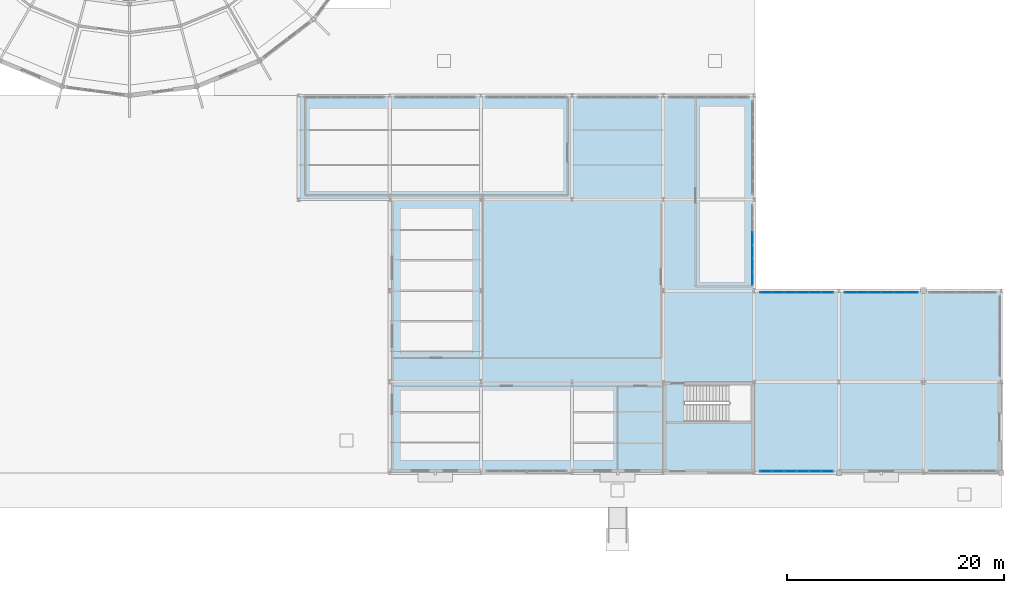
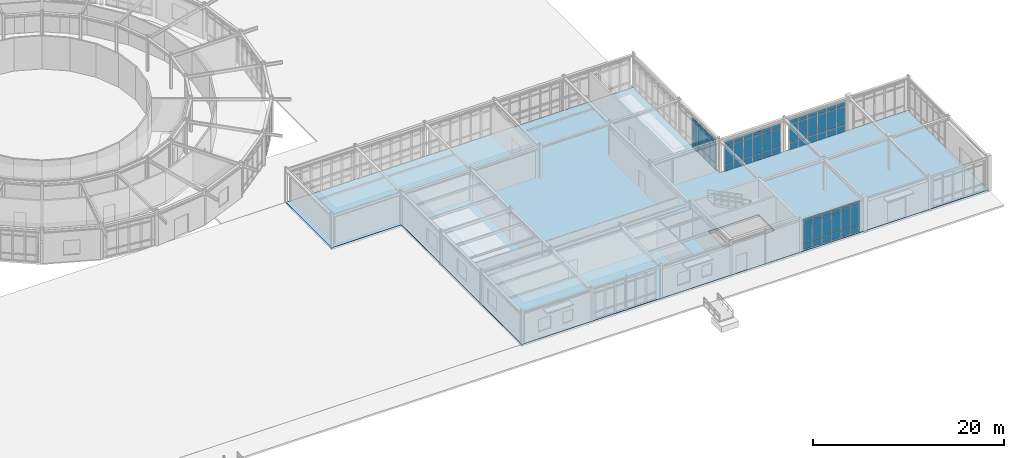
# One storey, part 71 of 101: 66 plates, 1 slab, 4 elements without a shape of their own.
"""IFC4 building model written with IfcOpenShell, lengths in metres."""

from ifc_helpers import new_model, si_unit, derived_unit, direction, frame, origin, origin_2d, place, context, subcontext, project, spatial, polyline, rectangle, outline, extrude, material, layer, layer_set, type_object, element, aggregate, save


model = new_model("IFC4")

# Units and contexts
model_context = context("Model", 3, precision=1e-05, world=origin(), true_north=direction((0.0, 1.0)))
body_context = subcontext(model_context, "Body", "Model", "MODEL_VIEW")
ifc_project = project(units=[si_unit("LENGTHUNIT", "METRE"), si_unit("AREAUNIT", "SQUARE_METRE"), si_unit("VOLUMEUNIT", "CUBIC_METRE"), si_unit("PLANEANGLEUNIT", "RADIAN"), si_unit("MASSUNIT", "GRAM", prefix="KILO"), derived_unit("THERMALTRANSMITTANCEUNIT", [(si_unit("POWERUNIT", "WATT"), 1), (si_unit("AREAUNIT", "SQUARE_METRE"), -1), (si_unit("THERMODYNAMICTEMPERATUREUNIT", "KELVIN"), -1)])], contexts=[model_context])

# Site, building, storey
site_placement = place(None, origin())
site = spatial("IfcSite", under=ifc_project, at=site_placement, CompositionType="ELEMENT")
building_placement = place(site_placement, origin())
building = spatial("IfcBuilding", under=site, at=building_placement, Name="Yasenodar Specialist Clinic", CompositionType="ELEMENT")
storey_placement = place(building_placement, origin())
storey = spatial("IfcBuildingStorey", under=building, at=storey_placement, Name="L00", CompositionType="ELEMENT", Elevation=0.0)

# Curtain wall, plates
ifc_material_1 = material(Name="Bronze Anodized Aluminium and Triple Low-E Glass", Category="aluminium")
ifc_layer_1 = layer(ifc_material_1, 0.178955078125)
ifc_layer_set_1 = layer_set([ifc_layer_1], Name="Bronze Anodized Aluminium and Triple Low-E Glass")
curtain_wall_type = type_object("IfcCurtainWallType", Name="CW-SYS-02", PredefinedType="USERDEFINED", material=ifc_layer_set_1)
curtain_wall_1_placement = place(storey_placement, origin())
curtain_wall_1 = element("IfcCurtainWall", 1, at=curtain_wall_1_placement, inside=storey, type_object=curtain_wall_type, Name="L00 Unitised Curtain Wall 088", ObjectType="UNITISED CURTAIN WALL", PredefinedType="USERDEFINED")
ifc_material_2 = material(Name="Triple Low-E Argon Glazing", Category="glass")
ifc_layer_2 = layer(ifc_material_2, 0.028076171875)
ifc_layer_set_2 = layer_set([ifc_layer_2], Name="Triple Low-E Argon Glazing")
plate_type_1 = type_object("IfcPlateType", Name="CW-PAN-1", PredefinedType="CURTAIN_PANEL", material=ifc_layer_set_2)
plate_1_placement = place(storey_placement, frame((147.465087890625, 16.64990234375, 0.06005859375), z_axis=(0.0, 0.0, 1.0), x_axis=(1.0, 0.0, 0.0)))
plate_1 = element("IfcPlate", 2, at=plate_1_placement, type_object=plate_type_1, Name="CW-02 panel 1.1", PredefinedType="CURTAIN_PANEL", context=body_context, shape_type="SweptSolid", body=[
    extrude(rectangle(XDim=1.050048828125, YDim=0.028076171875, at=origin_2d()), origin(), (0.0, 0.0, 1.0), 0.81005859375),
])
plate_2_placement = place(storey_placement, frame((147.465087890625, 16.64990234375, 0.93017578125), z_axis=(0.0, 0.0, 1.0), x_axis=(1.0, 0.0, 0.0)))
plate_2 = element("IfcPlate", 3, at=plate_2_placement, type_object=plate_type_1, Name="CW-02 panel 1.2", PredefinedType="CURTAIN_PANEL", context=body_context, shape_type="SweptSolid", body=[
    extrude(rectangle(XDim=1.050048828125, YDim=0.028076171875, at=origin_2d()), origin(), (0.0, 0.0, 1.0), 2.337890625),
])
plate_3_placement = place(storey_placement, frame((147.465087890625, 16.64990234375, 3.328125), z_axis=(0.0, 0.0, 1.0), x_axis=(1.0, 0.0, 0.0)))
plate_3 = element("IfcPlate", 4, at=plate_3_placement, type_object=plate_type_1, Name="CW-02 panel 1.3", PredefinedType="CURTAIN_PANEL", context=body_context, shape_type="SweptSolid", body=[
    extrude(rectangle(XDim=1.050048828125, YDim=0.028076171875, at=origin_2d()), origin(), (0.0, 0.0, 1.0), 0.510009765625),
])
plate_4_placement = place(storey_placement, frame((148.590087890625, 16.64990234375, 0.06005859375), z_axis=(0.0, 0.0, 1.0), x_axis=(1.0, 0.0, 0.0)))
plate_4 = element("IfcPlate", 5, at=plate_4_placement, type_object=plate_type_1, Name="CW-02 panel 2.1", PredefinedType="CURTAIN_PANEL", context=body_context, shape_type="SweptSolid", body=[
    extrude(rectangle(XDim=1.080078125, YDim=0.028076171875, at=origin_2d()), origin(), (0.0, 0.0, 1.0), 0.81005859375),
])
plate_5_placement = place(storey_placement, frame((148.590087890625, 16.64990234375, 0.93017578125), z_axis=(0.0, 0.0, 1.0), x_axis=(1.0, 0.0, 0.0)))
plate_5 = element("IfcPlate", 6, at=plate_5_placement, type_object=plate_type_1, Name="CW-02 panel 2.2", PredefinedType="CURTAIN_PANEL", context=body_context, shape_type="SweptSolid", body=[
    extrude(rectangle(XDim=1.080078125, YDim=0.028076171875, at=origin_2d()), origin(), (0.0, 0.0, 1.0), 2.337890625),
])
plate_6_placement = place(storey_placement, frame((148.590087890625, 16.64990234375, 3.328125), z_axis=(0.0, 0.0, 1.0), x_axis=(1.0, 0.0, 0.0)))
plate_6 = element("IfcPlate", 7, at=plate_6_placement, type_object=plate_type_1, Name="CW-02 panel 2.3", PredefinedType="CURTAIN_PANEL", context=body_context, shape_type="SweptSolid", body=[
    extrude(rectangle(XDim=1.080078125, YDim=0.028076171875, at=origin_2d()), origin(), (0.0, 0.0, 1.0), 0.510009765625),
])
plate_7_placement = place(storey_placement, frame((149.72998046875, 16.64990234375, 0.06005859375), z_axis=(0.0, 0.0, 1.0), x_axis=(1.0, 0.0, 0.0)))
plate_7 = element("IfcPlate", 8, at=plate_7_placement, type_object=plate_type_1, Name="CW-02 panel 3.1", PredefinedType="CURTAIN_PANEL", context=body_context, shape_type="SweptSolid", body=[
    extrude(rectangle(XDim=1.080078125, YDim=0.028076171875, at=origin_2d()), origin(), (0.0, 0.0, 1.0), 0.81005859375),
])
plate_8_placement = place(storey_placement, frame((149.72998046875, 16.64990234375, 0.93017578125), z_axis=(0.0, 0.0, 1.0), x_axis=(1.0, 0.0, 0.0)))
plate_8 = element("IfcPlate", 9, at=plate_8_placement, type_object=plate_type_1, Name="CW-02 panel 3.2", PredefinedType="CURTAIN_PANEL", context=body_context, shape_type="SweptSolid", body=[
    extrude(rectangle(XDim=1.080078125, YDim=0.028076171875, at=origin_2d()), origin(), (0.0, 0.0, 1.0), 2.337890625),
])
plate_9_placement = place(storey_placement, frame((149.72998046875, 16.64990234375, 3.328125), z_axis=(0.0, 0.0, 1.0), x_axis=(1.0, 0.0, 0.0)))
plate_9 = element("IfcPlate", 10, at=plate_9_placement, type_object=plate_type_1, Name="CW-02 panel 3.3", PredefinedType="CURTAIN_PANEL", context=body_context, shape_type="SweptSolid", body=[
    extrude(rectangle(XDim=1.080078125, YDim=0.028076171875, at=origin_2d()), origin(), (0.0, 0.0, 1.0), 0.510009765625),
])
plate_10_placement = place(storey_placement, frame((150.8701171875, 16.64990234375, 0.06005859375), z_axis=(0.0, 0.0, 1.0), x_axis=(1.0, 0.0, 0.0)))
plate_10 = element("IfcPlate", 11, at=plate_10_placement, type_object=plate_type_1, Name="CW-02 panel 4.1", PredefinedType="CURTAIN_PANEL", context=body_context, shape_type="SweptSolid", body=[
    extrude(rectangle(XDim=1.080078125, YDim=0.028076171875, at=origin_2d()), origin(), (0.0, 0.0, 1.0), 0.81005859375),
])
plate_11_placement = place(storey_placement, frame((150.8701171875, 16.64990234375, 0.93017578125), z_axis=(0.0, 0.0, 1.0), x_axis=(1.0, 0.0, 0.0)))
plate_11 = element("IfcPlate", 12, at=plate_11_placement, type_object=plate_type_1, Name="CW-02 panel 4.2", PredefinedType="CURTAIN_PANEL", context=body_context, shape_type="SweptSolid", body=[
    extrude(rectangle(XDim=1.080078125, YDim=0.028076171875, at=origin_2d()), origin(), (0.0, 0.0, 1.0), 2.337890625),
])
plate_12_placement = place(storey_placement, frame((150.8701171875, 16.64990234375, 3.328125), z_axis=(0.0, 0.0, 1.0), x_axis=(1.0, 0.0, 0.0)))
plate_12 = element("IfcPlate", 13, at=plate_12_placement, type_object=plate_type_1, Name="CW-02 panel 4.3", PredefinedType="CURTAIN_PANEL", context=body_context, shape_type="SweptSolid", body=[
    extrude(rectangle(XDim=1.080078125, YDim=0.028076171875, at=origin_2d()), origin(), (0.0, 0.0, 1.0), 0.510009765625),
])
plate_13_placement = place(storey_placement, frame((152.010009765625, 16.64990234375, 0.06005859375), z_axis=(0.0, 0.0, 1.0), x_axis=(1.0, 0.0, 0.0)))
plate_13 = element("IfcPlate", 14, at=plate_13_placement, type_object=plate_type_1, Name="CW-02 panel 5.1", PredefinedType="CURTAIN_PANEL", context=body_context, shape_type="SweptSolid", body=[
    extrude(rectangle(XDim=1.080078125, YDim=0.028076171875, at=origin_2d()), origin(), (0.0, 0.0, 1.0), 0.81005859375),
])
plate_14_placement = place(storey_placement, frame((152.010009765625, 16.64990234375, 0.93017578125), z_axis=(0.0, 0.0, 1.0), x_axis=(1.0, 0.0, 0.0)))
plate_14 = element("IfcPlate", 15, at=plate_14_placement, type_object=plate_type_1, Name="CW-02 panel 5.2", PredefinedType="CURTAIN_PANEL", context=body_context, shape_type="SweptSolid", body=[
    extrude(rectangle(XDim=1.080078125, YDim=0.028076171875, at=origin_2d()), origin(), (0.0, 0.0, 1.0), 2.337890625),
])
plate_15_placement = place(storey_placement, frame((152.010009765625, 16.64990234375, 3.328125), z_axis=(0.0, 0.0, 1.0), x_axis=(1.0, 0.0, 0.0)))
plate_15 = element("IfcPlate", 16, at=plate_15_placement, type_object=plate_type_1, Name="CW-02 panel 5.3", PredefinedType="CURTAIN_PANEL", context=body_context, shape_type="SweptSolid", body=[
    extrude(rectangle(XDim=1.080078125, YDim=0.028076171875, at=origin_2d()), origin(), (0.0, 0.0, 1.0), 0.510009765625),
])
plate_16_placement = place(storey_placement, frame((153.135009765625, 16.64990234375, 0.06005859375), z_axis=(0.0, 0.0, 1.0), x_axis=(1.0, 0.0, 0.0)))
plate_16 = element("IfcPlate", 17, at=plate_16_placement, type_object=plate_type_1, Name="CW-02 panel 6.1", PredefinedType="CURTAIN_PANEL", context=body_context, shape_type="SweptSolid", body=[
    extrude(rectangle(XDim=1.050048828125, YDim=0.028076171875, at=origin_2d()), origin(), (0.0, 0.0, 1.0), 0.81005859375),
])
plate_17_placement = place(storey_placement, frame((153.135009765625, 16.64990234375, 0.93017578125), z_axis=(0.0, 0.0, 1.0), x_axis=(1.0, 0.0, 0.0)))
plate_17 = element("IfcPlate", 18, at=plate_17_placement, type_object=plate_type_1, Name="CW-02 panel 6.2", PredefinedType="CURTAIN_PANEL", context=body_context, shape_type="SweptSolid", body=[
    extrude(rectangle(XDim=1.050048828125, YDim=0.028076171875, at=origin_2d()), origin(), (0.0, 0.0, 1.0), 2.337890625),
])
plate_18_placement = place(storey_placement, frame((153.135009765625, 16.64990234375, 3.328125), z_axis=(0.0, 0.0, 1.0), x_axis=(1.0, 0.0, 0.0)))
plate_18 = element("IfcPlate", 19, at=plate_18_placement, type_object=plate_type_1, Name="CW-02 panel 6.3", PredefinedType="CURTAIN_PANEL", context=body_context, shape_type="SweptSolid", body=[
    extrude(rectangle(XDim=1.050048828125, YDim=0.028076171875, at=origin_2d()), origin(), (0.0, 0.0, 1.0), 0.510009765625),
])
aggregate(curtain_wall_1, [plate_1, plate_2, plate_3, plate_4, plate_5, plate_6, plate_7, plate_8, plate_9, plate_10, plate_11, plate_12, plate_13, plate_14, plate_15, plate_16, plate_17, plate_18])

curtain_wall_2_placement = place(storey_placement, origin())
curtain_wall_2 = element("IfcCurtainWall", 20, at=curtain_wall_2_placement, inside=storey, type_object=curtain_wall_type, Name="L00 Unitised Curtain Wall 079", ObjectType="UNITISED CURTAIN WALL", PredefinedType="USERDEFINED")
ifc_layer_3 = layer(ifc_material_2, 0.0458984375)
ifc_layer_set_3 = layer_set([ifc_layer_3], Name="Triple Low-E Argon Glazing")
plate_type_2 = type_object("IfcPlateType", Name="CW-PAN-4", PredefinedType="CURTAIN_PANEL", material=ifc_layer_set_3)
plate_19_placement = place(storey_placement, frame((145.33251953125, 0.14990234375, 0.070068359375), z_axis=(0.0, 0.0, 1.0), x_axis=(-1.0, 0.0, 0.0)))
plate_19 = element("IfcPlate", 21, at=plate_19_placement, type_object=plate_type_2, Name="CW-02 panel 1.1", PredefinedType="CURTAIN_PANEL", context=body_context, shape_type="SweptSolid", body=[
    extrude(rectangle(XDim=1.034912109375, YDim=0.0458984375, at=origin_2d()), origin(), (0.0, 0.0, 1.0), 0.794921875),
])
plate_20_placement = place(storey_placement, frame((145.33251953125, 0.14990234375, 0.93505859375), z_axis=(0.0, 0.0, 1.0), x_axis=(-1.0, 0.0, 0.0)))
plate_20 = element("IfcPlate", 22, at=plate_20_placement, type_object=plate_type_2, Name="CW-02 panel 1.2", PredefinedType="CURTAIN_PANEL", context=body_context, shape_type="SweptSolid", body=[
    extrude(rectangle(XDim=1.034912109375, YDim=0.0458984375, at=origin_2d()), origin(), (0.0, 0.0, 1.0), 2.427978515625),
])
plate_21_placement = place(storey_placement, frame((145.33251953125, 0.14990234375, 3.432861328125), z_axis=(0.0, 0.0, 1.0), x_axis=(-1.0, 0.0, 0.0)))
plate_21 = element("IfcPlate", 23, at=plate_21_placement, type_object=plate_type_2, Name="CW-02 panel 1.3", PredefinedType="CURTAIN_PANEL", context=body_context, shape_type="SweptSolid", body=[
    extrude(rectangle(XDim=1.034912109375, YDim=0.0458984375, at=origin_2d()), origin(), (0.0, 0.0, 1.0), 0.4951171875),
])
plate_22_placement = place(storey_placement, frame((144.2099609375, 0.14990234375, 0.070068359375), z_axis=(0.0, 0.0, 1.0), x_axis=(-1.0, 0.0, 0.0)))
plate_22 = element("IfcPlate", 24, at=plate_22_placement, type_object=plate_type_2, Name="CW-02 panel 2.1", PredefinedType="CURTAIN_PANEL", context=body_context, shape_type="SweptSolid", body=[
    extrude(rectangle(XDim=1.070068359375, YDim=0.0458984375, at=origin_2d()), origin(), (0.0, 0.0, 1.0), 0.794921875),
])
plate_23_placement = place(storey_placement, frame((144.2099609375, 0.14990234375, 0.93505859375), z_axis=(0.0, 0.0, 1.0), x_axis=(-1.0, 0.0, 0.0)))
plate_23 = element("IfcPlate", 25, at=plate_23_placement, type_object=plate_type_2, Name="CW-02 panel 2.2", PredefinedType="CURTAIN_PANEL", context=body_context, shape_type="SweptSolid", body=[
    extrude(rectangle(XDim=1.070068359375, YDim=0.0458984375, at=origin_2d()), origin(), (0.0, 0.0, 1.0), 2.427978515625),
])
plate_24_placement = place(storey_placement, frame((144.2099609375, 0.14990234375, 3.432861328125), z_axis=(0.0, 0.0, 1.0), x_axis=(-1.0, 0.0, 0.0)))
plate_24 = element("IfcPlate", 26, at=plate_24_placement, type_object=plate_type_2, Name="CW-02 panel 2.3", PredefinedType="CURTAIN_PANEL", context=body_context, shape_type="SweptSolid", body=[
    extrude(rectangle(XDim=1.070068359375, YDim=0.0458984375, at=origin_2d()), origin(), (0.0, 0.0, 1.0), 0.4951171875),
])
plate_25_placement = place(storey_placement, frame((143.070068359375, 0.14990234375, 0.070068359375), z_axis=(0.0, 0.0, 1.0), x_axis=(-1.0, 0.0, 0.0)))
plate_25 = element("IfcPlate", 27, at=plate_25_placement, type_object=plate_type_2, Name="CW-02 panel 3.1", PredefinedType="CURTAIN_PANEL", context=body_context, shape_type="SweptSolid", body=[
    extrude(rectangle(XDim=1.070068359375, YDim=0.0458984375, at=origin_2d()), origin(), (0.0, 0.0, 1.0), 0.794921875),
])
plate_26_placement = place(storey_placement, frame((143.070068359375, 0.14990234375, 0.93505859375), z_axis=(0.0, 0.0, 1.0), x_axis=(-1.0, 0.0, 0.0)))
plate_26 = element("IfcPlate", 28, at=plate_26_placement, type_object=plate_type_2, Name="CW-02 panel 3.2", PredefinedType="CURTAIN_PANEL", context=body_context, shape_type="SweptSolid", body=[
    extrude(rectangle(XDim=1.070068359375, YDim=0.0458984375, at=origin_2d()), origin(), (0.0, 0.0, 1.0), 2.427978515625),
])
plate_27_placement = place(storey_placement, frame((143.070068359375, 0.14990234375, 3.432861328125), z_axis=(0.0, 0.0, 1.0), x_axis=(-1.0, 0.0, 0.0)))
plate_27 = element("IfcPlate", 29, at=plate_27_placement, type_object=plate_type_2, Name="CW-02 panel 3.3", PredefinedType="CURTAIN_PANEL", context=body_context, shape_type="SweptSolid", body=[
    extrude(rectangle(XDim=1.070068359375, YDim=0.0458984375, at=origin_2d()), origin(), (0.0, 0.0, 1.0), 0.4951171875),
])
plate_28_placement = place(storey_placement, frame((141.929931640625, 0.14990234375, 0.070068359375), z_axis=(0.0, 0.0, 1.0), x_axis=(-1.0, 0.0, 0.0)))
plate_28 = element("IfcPlate", 30, at=plate_28_placement, type_object=plate_type_2, Name="CW-02 panel 4.1", PredefinedType="CURTAIN_PANEL", context=body_context, shape_type="SweptSolid", body=[
    extrude(rectangle(XDim=1.070068359375, YDim=0.0458984375, at=origin_2d()), origin(), (0.0, 0.0, 1.0), 0.794921875),
])
plate_29_placement = place(storey_placement, frame((141.929931640625, 0.14990234375, 0.93505859375), z_axis=(0.0, 0.0, 1.0), x_axis=(-1.0, 0.0, 0.0)))
plate_29 = element("IfcPlate", 31, at=plate_29_placement, type_object=plate_type_2, Name="CW-02 panel 4.2", PredefinedType="CURTAIN_PANEL", context=body_context, shape_type="SweptSolid", body=[
    extrude(rectangle(XDim=1.070068359375, YDim=0.0458984375, at=origin_2d()), origin(), (0.0, 0.0, 1.0), 2.427978515625),
])
plate_30_placement = place(storey_placement, frame((141.929931640625, 0.14990234375, 3.432861328125), z_axis=(0.0, 0.0, 1.0), x_axis=(-1.0, 0.0, 0.0)))
plate_30 = element("IfcPlate", 32, at=plate_30_placement, type_object=plate_type_2, Name="CW-02 panel 4.3", PredefinedType="CURTAIN_PANEL", context=body_context, shape_type="SweptSolid", body=[
    extrude(rectangle(XDim=1.070068359375, YDim=0.0458984375, at=origin_2d()), origin(), (0.0, 0.0, 1.0), 0.4951171875),
])
plate_31_placement = place(storey_placement, frame((140.7900390625, 0.14990234375, 0.070068359375), z_axis=(0.0, 0.0, 1.0), x_axis=(-1.0, 0.0, 0.0)))
plate_31 = element("IfcPlate", 33, at=plate_31_placement, type_object=plate_type_2, Name="CW-02 panel 5.1", PredefinedType="CURTAIN_PANEL", context=body_context, shape_type="SweptSolid", body=[
    extrude(rectangle(XDim=1.070068359375, YDim=0.0458984375, at=origin_2d()), origin(), (0.0, 0.0, 1.0), 0.794921875),
])
plate_32_placement = place(storey_placement, frame((140.7900390625, 0.14990234375, 0.93505859375), z_axis=(0.0, 0.0, 1.0), x_axis=(-1.0, 0.0, 0.0)))
plate_32 = element("IfcPlate", 34, at=plate_32_placement, type_object=plate_type_2, Name="CW-02 panel 5.2", PredefinedType="CURTAIN_PANEL", context=body_context, shape_type="SweptSolid", body=[
    extrude(rectangle(XDim=1.070068359375, YDim=0.0458984375, at=origin_2d()), origin(), (0.0, 0.0, 1.0), 2.427978515625),
])
plate_33_placement = place(storey_placement, frame((140.7900390625, 0.14990234375, 3.432861328125), z_axis=(0.0, 0.0, 1.0), x_axis=(-1.0, 0.0, 0.0)))
plate_33 = element("IfcPlate", 35, at=plate_33_placement, type_object=plate_type_2, Name="CW-02 panel 5.3", PredefinedType="CURTAIN_PANEL", context=body_context, shape_type="SweptSolid", body=[
    extrude(rectangle(XDim=1.070068359375, YDim=0.0458984375, at=origin_2d()), origin(), (0.0, 0.0, 1.0), 0.4951171875),
])
plate_34_placement = place(storey_placement, frame((139.66748046875, 0.14990234375, 0.070068359375), z_axis=(0.0, 0.0, 1.0), x_axis=(-1.0, 0.0, 0.0)))
plate_34 = element("IfcPlate", 36, at=plate_34_placement, type_object=plate_type_2, Name="CW-02 panel 6.1", PredefinedType="CURTAIN_PANEL", context=body_context, shape_type="SweptSolid", body=[
    extrude(rectangle(XDim=1.034912109375, YDim=0.0458984375, at=origin_2d()), origin(), (0.0, 0.0, 1.0), 0.794921875),
])
plate_35_placement = place(storey_placement, frame((139.66748046875, 0.14990234375, 0.93505859375), z_axis=(0.0, 0.0, 1.0), x_axis=(-1.0, 0.0, 0.0)))
plate_35 = element("IfcPlate", 37, at=plate_35_placement, type_object=plate_type_2, Name="CW-02 panel 6.2", PredefinedType="CURTAIN_PANEL", context=body_context, shape_type="SweptSolid", body=[
    extrude(rectangle(XDim=1.034912109375, YDim=0.0458984375, at=origin_2d()), origin(), (0.0, 0.0, 1.0), 2.427978515625),
])
plate_36_placement = place(storey_placement, frame((139.66748046875, 0.14990234375, 3.432861328125), z_axis=(0.0, 0.0, 1.0), x_axis=(-1.0, 0.0, 0.0)))
plate_36 = element("IfcPlate", 38, at=plate_36_placement, type_object=plate_type_2, Name="CW-02 panel 6.3", PredefinedType="CURTAIN_PANEL", context=body_context, shape_type="SweptSolid", body=[
    extrude(rectangle(XDim=1.034912109375, YDim=0.0458984375, at=origin_2d()), origin(), (0.0, 0.0, 1.0), 0.4951171875),
])
aggregate(curtain_wall_2, [plate_19, plate_20, plate_21, plate_22, plate_23, plate_24, plate_25, plate_26, plate_27, plate_28, plate_29, plate_30, plate_31, plate_32, plate_33, plate_34, plate_35, plate_36])

curtain_wall_3_placement = place(storey_placement, origin())
curtain_wall_3 = element("IfcCurtainWall", 39, at=curtain_wall_3_placement, inside=storey, type_object=curtain_wall_type, Name="L00 Unitised Curtain Wall 087", ObjectType="UNITISED CURTAIN WALL", PredefinedType="USERDEFINED")
plate_37_placement = place(storey_placement, frame((139.6650390625, 16.64990234375, 0.06005859375), z_axis=(0.0, 0.0, 1.0), x_axis=(1.0, 0.0, 0.0)))
plate_37 = element("IfcPlate", 40, at=plate_37_placement, type_object=plate_type_2, Name="CW-02 panel 1.1", PredefinedType="CURTAIN_PANEL", context=body_context, shape_type="SweptSolid", body=[
    extrude(rectangle(XDim=1.050048828125, YDim=0.0458984375, at=origin_2d()), origin(), (0.0, 0.0, 1.0), 0.81005859375),
])
plate_38_placement = place(storey_placement, frame((139.6650390625, 16.64990234375, 0.93017578125), z_axis=(0.0, 0.0, 1.0), x_axis=(1.0, 0.0, 0.0)))
plate_38 = element("IfcPlate", 41, at=plate_38_placement, type_object=plate_type_2, Name="CW-02 panel 1.2", PredefinedType="CURTAIN_PANEL", context=body_context, shape_type="SweptSolid", body=[
    extrude(rectangle(XDim=1.050048828125, YDim=0.0458984375, at=origin_2d()), origin(), (0.0, 0.0, 1.0), 2.278076171875),
])
plate_39_placement = place(storey_placement, frame((139.6650390625, 16.64990234375, 3.26806640625), z_axis=(0.0, 0.0, 1.0), x_axis=(1.0, 0.0, 0.0)))
plate_39 = element("IfcPlate", 42, at=plate_39_placement, type_object=plate_type_2, Name="CW-02 panel 1.3", PredefinedType="CURTAIN_PANEL", context=body_context, shape_type="SweptSolid", body=[
    extrude(rectangle(XDim=1.050048828125, YDim=0.0458984375, at=origin_2d()), origin(), (0.0, 0.0, 1.0), 0.510009765625),
])
plate_40_placement = place(storey_placement, frame((140.7900390625, 16.64990234375, 0.06005859375), z_axis=(0.0, 0.0, 1.0), x_axis=(1.0, 0.0, 0.0)))
plate_40 = element("IfcPlate", 43, at=plate_40_placement, type_object=plate_type_2, Name="CW-02 panel 2.1", PredefinedType="CURTAIN_PANEL", context=body_context, shape_type="SweptSolid", body=[
    extrude(rectangle(XDim=1.080078125, YDim=0.0458984375, at=origin_2d()), origin(), (0.0, 0.0, 1.0), 0.81005859375),
])
plate_41_placement = place(storey_placement, frame((140.7900390625, 16.64990234375, 0.93017578125), z_axis=(0.0, 0.0, 1.0), x_axis=(1.0, 0.0, 0.0)))
plate_41 = element("IfcPlate", 44, at=plate_41_placement, type_object=plate_type_2, Name="CW-02 panel 2.2", PredefinedType="CURTAIN_PANEL", context=body_context, shape_type="SweptSolid", body=[
    extrude(rectangle(XDim=1.080078125, YDim=0.0458984375, at=origin_2d()), origin(), (0.0, 0.0, 1.0), 2.278076171875),
])
plate_42_placement = place(storey_placement, frame((140.7900390625, 16.64990234375, 3.26806640625), z_axis=(0.0, 0.0, 1.0), x_axis=(1.0, 0.0, 0.0)))
plate_42 = element("IfcPlate", 45, at=plate_42_placement, type_object=plate_type_2, Name="CW-02 panel 2.3", PredefinedType="CURTAIN_PANEL", context=body_context, shape_type="SweptSolid", body=[
    extrude(rectangle(XDim=1.080078125, YDim=0.0458984375, at=origin_2d()), origin(), (0.0, 0.0, 1.0), 0.510009765625),
])
plate_43_placement = place(storey_placement, frame((141.929931640625, 16.64990234375, 0.06005859375), z_axis=(0.0, 0.0, 1.0), x_axis=(1.0, 0.0, 0.0)))
plate_43 = element("IfcPlate", 46, at=plate_43_placement, type_object=plate_type_2, Name="CW-02 panel 3.1", PredefinedType="CURTAIN_PANEL", context=body_context, shape_type="SweptSolid", body=[
    extrude(rectangle(XDim=1.080078125, YDim=0.0458984375, at=origin_2d()), origin(), (0.0, 0.0, 1.0), 0.81005859375),
])
plate_44_placement = place(storey_placement, frame((141.929931640625, 16.64990234375, 0.93017578125), z_axis=(0.0, 0.0, 1.0), x_axis=(1.0, 0.0, 0.0)))
plate_44 = element("IfcPlate", 47, at=plate_44_placement, type_object=plate_type_2, Name="CW-02 panel 3.2", PredefinedType="CURTAIN_PANEL", context=body_context, shape_type="SweptSolid", body=[
    extrude(rectangle(XDim=1.080078125, YDim=0.0458984375, at=origin_2d()), origin(), (0.0, 0.0, 1.0), 2.278076171875),
])
plate_45_placement = place(storey_placement, frame((141.929931640625, 16.64990234375, 3.26806640625), z_axis=(0.0, 0.0, 1.0), x_axis=(1.0, 0.0, 0.0)))
plate_45 = element("IfcPlate", 48, at=plate_45_placement, type_object=plate_type_2, Name="CW-02 panel 3.3", PredefinedType="CURTAIN_PANEL", context=body_context, shape_type="SweptSolid", body=[
    extrude(rectangle(XDim=1.080078125, YDim=0.0458984375, at=origin_2d()), origin(), (0.0, 0.0, 1.0), 0.510009765625),
])
plate_46_placement = place(storey_placement, frame((143.070068359375, 16.64990234375, 0.06005859375), z_axis=(0.0, 0.0, 1.0), x_axis=(1.0, 0.0, 0.0)))
plate_46 = element("IfcPlate", 49, at=plate_46_placement, type_object=plate_type_2, Name="CW-02 panel 4.1", PredefinedType="CURTAIN_PANEL", context=body_context, shape_type="SweptSolid", body=[
    extrude(rectangle(XDim=1.080078125, YDim=0.0458984375, at=origin_2d()), origin(), (0.0, 0.0, 1.0), 0.81005859375),
])
plate_47_placement = place(storey_placement, frame((143.070068359375, 16.64990234375, 0.93017578125), z_axis=(0.0, 0.0, 1.0), x_axis=(1.0, 0.0, 0.0)))
plate_47 = element("IfcPlate", 50, at=plate_47_placement, type_object=plate_type_2, Name="CW-02 panel 4.2", PredefinedType="CURTAIN_PANEL", context=body_context, shape_type="SweptSolid", body=[
    extrude(rectangle(XDim=1.080078125, YDim=0.0458984375, at=origin_2d()), origin(), (0.0, 0.0, 1.0), 2.278076171875),
])
plate_48_placement = place(storey_placement, frame((143.070068359375, 16.64990234375, 3.26806640625), z_axis=(0.0, 0.0, 1.0), x_axis=(1.0, 0.0, 0.0)))
plate_48 = element("IfcPlate", 51, at=plate_48_placement, type_object=plate_type_2, Name="CW-02 panel 4.3", PredefinedType="CURTAIN_PANEL", context=body_context, shape_type="SweptSolid", body=[
    extrude(rectangle(XDim=1.080078125, YDim=0.0458984375, at=origin_2d()), origin(), (0.0, 0.0, 1.0), 0.510009765625),
])
plate_49_placement = place(storey_placement, frame((144.2099609375, 16.64990234375, 0.06005859375), z_axis=(0.0, 0.0, 1.0), x_axis=(1.0, 0.0, 0.0)))
plate_49 = element("IfcPlate", 52, at=plate_49_placement, type_object=plate_type_2, Name="CW-02 panel 5.1", PredefinedType="CURTAIN_PANEL", context=body_context, shape_type="SweptSolid", body=[
    extrude(rectangle(XDim=1.080078125, YDim=0.0458984375, at=origin_2d()), origin(), (0.0, 0.0, 1.0), 0.81005859375),
])
plate_50_placement = place(storey_placement, frame((144.2099609375, 16.64990234375, 0.93017578125), z_axis=(0.0, 0.0, 1.0), x_axis=(1.0, 0.0, 0.0)))
plate_50 = element("IfcPlate", 53, at=plate_50_placement, type_object=plate_type_2, Name="CW-02 panel 5.2", PredefinedType="CURTAIN_PANEL", context=body_context, shape_type="SweptSolid", body=[
    extrude(rectangle(XDim=1.080078125, YDim=0.0458984375, at=origin_2d()), origin(), (0.0, 0.0, 1.0), 2.278076171875),
])
plate_51_placement = place(storey_placement, frame((144.2099609375, 16.64990234375, 3.26806640625), z_axis=(0.0, 0.0, 1.0), x_axis=(1.0, 0.0, 0.0)))
plate_51 = element("IfcPlate", 54, at=plate_51_placement, type_object=plate_type_2, Name="CW-02 panel 5.3", PredefinedType="CURTAIN_PANEL", context=body_context, shape_type="SweptSolid", body=[
    extrude(rectangle(XDim=1.080078125, YDim=0.0458984375, at=origin_2d()), origin(), (0.0, 0.0, 1.0), 0.510009765625),
])
plate_52_placement = place(storey_placement, frame((145.3349609375, 16.64990234375, 0.06005859375), z_axis=(0.0, 0.0, 1.0), x_axis=(1.0, 0.0, 0.0)))
plate_52 = element("IfcPlate", 55, at=plate_52_placement, type_object=plate_type_2, Name="CW-02 panel 6.1", PredefinedType="CURTAIN_PANEL", context=body_context, shape_type="SweptSolid", body=[
    extrude(rectangle(XDim=1.050048828125, YDim=0.0458984375, at=origin_2d()), origin(), (0.0, 0.0, 1.0), 0.81005859375),
])
plate_53_placement = place(storey_placement, frame((145.3349609375, 16.64990234375, 0.93017578125), z_axis=(0.0, 0.0, 1.0), x_axis=(1.0, 0.0, 0.0)))
plate_53 = element("IfcPlate", 56, at=plate_53_placement, type_object=plate_type_2, Name="CW-02 panel 6.2", PredefinedType="CURTAIN_PANEL", context=body_context, shape_type="SweptSolid", body=[
    extrude(rectangle(XDim=1.050048828125, YDim=0.0458984375, at=origin_2d()), origin(), (0.0, 0.0, 1.0), 2.278076171875),
])
plate_54_placement = place(storey_placement, frame((145.3349609375, 16.64990234375, 3.26806640625), z_axis=(0.0, 0.0, 1.0), x_axis=(1.0, 0.0, 0.0)))
plate_54 = element("IfcPlate", 57, at=plate_54_placement, type_object=plate_type_2, Name="CW-02 panel 6.3", PredefinedType="CURTAIN_PANEL", context=body_context, shape_type="SweptSolid", body=[
    extrude(rectangle(XDim=1.050048828125, YDim=0.0458984375, at=origin_2d()), origin(), (0.0, 0.0, 1.0), 0.510009765625),
])
aggregate(curtain_wall_3, [plate_37, plate_38, plate_39, plate_40, plate_41, plate_42, plate_43, plate_44, plate_45, plate_46, plate_47, plate_48, plate_49, plate_50, plate_51, plate_52, plate_53, plate_54])

curtain_wall_4_placement = place(storey_placement, origin())
curtain_wall_4 = element("IfcCurtainWall", 58, at=curtain_wall_4_placement, inside=storey, type_object=curtain_wall_type, Name="L00 Unitised Curtain Wall 091", ObjectType="UNITISED CURTAIN WALL", PredefinedType="USERDEFINED")
plate_55_placement = place(storey_placement, frame((138.449951171875, 21.6201171875, 0.06005859375), z_axis=(0.0, 0.0, 1.0), x_axis=(0.0, -1.0, 0.0)))
plate_55 = element("IfcPlate", 59, at=plate_55_placement, type_object=plate_type_2, Name="CW-02 panel 3.1", PredefinedType="CURTAIN_PANEL", context=body_context, shape_type="SweptSolid", body=[
    extrude(rectangle(XDim=1.179931640625, YDim=0.0458984375, at=origin_2d()), origin(), (0.0, 0.0, 1.0), 0.81005859375),
])
plate_56_placement = place(storey_placement, frame((138.449951171875, 21.6201171875, 0.929931640625), z_axis=(0.0, 0.0, 1.0), x_axis=(0.0, -1.0, 0.0)))
plate_56 = element("IfcPlate", 60, at=plate_56_placement, type_object=plate_type_2, Name="CW-02 panel 3.2", PredefinedType="CURTAIN_PANEL", context=body_context, shape_type="SweptSolid", body=[
    extrude(rectangle(XDim=1.179931640625, YDim=0.0458984375, at=origin_2d()), origin(), (0.0, 0.0, 1.0), 2.3779296875),
])
plate_57_placement = place(storey_placement, frame((138.449951171875, 21.6201171875, 3.3681640625), z_axis=(0.0, 0.0, 1.0), x_axis=(0.0, -1.0, 0.0)))
plate_57 = element("IfcPlate", 61, at=plate_57_placement, type_object=plate_type_2, Name="CW-02 panel 3.3", PredefinedType="CURTAIN_PANEL", context=body_context, shape_type="SweptSolid", body=[
    extrude(rectangle(XDim=1.179931640625, YDim=0.0458984375, at=origin_2d()), origin(), (0.0, 0.0, 1.0), 0.510009765625),
])
plate_58_placement = place(storey_placement, frame((138.449951171875, 20.3798828125, 0.06005859375), z_axis=(0.0, 0.0, 1.0), x_axis=(0.0, -1.0, 0.0)))
plate_58 = element("IfcPlate", 62, at=plate_58_placement, type_object=plate_type_2, Name="CW-02 panel 4.1", PredefinedType="CURTAIN_PANEL", context=body_context, shape_type="SweptSolid", body=[
    extrude(rectangle(XDim=1.179931640625, YDim=0.0458984375, at=origin_2d()), origin(), (0.0, 0.0, 1.0), 0.81005859375),
])
plate_59_placement = place(storey_placement, frame((138.449951171875, 20.3798828125, 0.929931640625), z_axis=(0.0, 0.0, 1.0), x_axis=(0.0, -1.0, 0.0)))
plate_59 = element("IfcPlate", 63, at=plate_59_placement, type_object=plate_type_2, Name="CW-02 panel 4.2", PredefinedType="CURTAIN_PANEL", context=body_context, shape_type="SweptSolid", body=[
    extrude(rectangle(XDim=1.179931640625, YDim=0.0458984375, at=origin_2d()), origin(), (0.0, 0.0, 1.0), 2.3779296875),
])
plate_60_placement = place(storey_placement, frame((138.449951171875, 20.3798828125, 3.3681640625), z_axis=(0.0, 0.0, 1.0), x_axis=(0.0, -1.0, 0.0)))
plate_60 = element("IfcPlate", 64, at=plate_60_placement, type_object=plate_type_2, Name="CW-02 panel 4.3", PredefinedType="CURTAIN_PANEL", context=body_context, shape_type="SweptSolid", body=[
    extrude(rectangle(XDim=1.179931640625, YDim=0.0458984375, at=origin_2d()), origin(), (0.0, 0.0, 1.0), 0.510009765625),
])
plate_61_placement = place(storey_placement, frame((138.449951171875, 19.139892578125, 0.06005859375), z_axis=(0.0, 0.0, 1.0), x_axis=(0.0, -1.0, 0.0)))
plate_61 = element("IfcPlate", 65, at=plate_61_placement, type_object=plate_type_2, Name="CW-02 panel 5.1", PredefinedType="CURTAIN_PANEL", context=body_context, shape_type="SweptSolid", body=[
    extrude(rectangle(XDim=1.179931640625, YDim=0.0458984375, at=origin_2d()), origin(), (0.0, 0.0, 1.0), 0.81005859375),
])
plate_62_placement = place(storey_placement, frame((138.449951171875, 19.139892578125, 0.929931640625), z_axis=(0.0, 0.0, 1.0), x_axis=(0.0, -1.0, 0.0)))
plate_62 = element("IfcPlate", 66, at=plate_62_placement, type_object=plate_type_2, Name="CW-02 panel 5.2", PredefinedType="CURTAIN_PANEL", context=body_context, shape_type="SweptSolid", body=[
    extrude(rectangle(XDim=1.179931640625, YDim=0.0458984375, at=origin_2d()), origin(), (0.0, 0.0, 1.0), 2.3779296875),
])
plate_63_placement = place(storey_placement, frame((138.449951171875, 19.139892578125, 3.3681640625), z_axis=(0.0, 0.0, 1.0), x_axis=(0.0, -1.0, 0.0)))
plate_63 = element("IfcPlate", 67, at=plate_63_placement, type_object=plate_type_2, Name="CW-02 panel 5.3", PredefinedType="CURTAIN_PANEL", context=body_context, shape_type="SweptSolid", body=[
    extrude(rectangle(XDim=1.179931640625, YDim=0.0458984375, at=origin_2d()), origin(), (0.0, 0.0, 1.0), 0.510009765625),
])
plate_64_placement = place(storey_placement, frame((138.449951171875, 17.9150390625, 0.06005859375), z_axis=(0.0, 0.0, 1.0), x_axis=(0.0, -1.0, 0.0)))
plate_64 = element("IfcPlate", 68, at=plate_64_placement, type_object=plate_type_2, Name="CW-02 panel 6.1", PredefinedType="CURTAIN_PANEL", context=body_context, shape_type="SweptSolid", body=[
    extrude(rectangle(XDim=1.14990234375, YDim=0.0458984375, at=origin_2d()), origin(), (0.0, 0.0, 1.0), 0.81005859375),
])
plate_65_placement = place(storey_placement, frame((138.449951171875, 17.9150390625, 0.929931640625), z_axis=(0.0, 0.0, 1.0), x_axis=(0.0, -1.0, 0.0)))
plate_65 = element("IfcPlate", 69, at=plate_65_placement, type_object=plate_type_2, Name="CW-02 panel 6.2", PredefinedType="CURTAIN_PANEL", context=body_context, shape_type="SweptSolid", body=[
    extrude(rectangle(XDim=1.14990234375, YDim=0.0458984375, at=origin_2d()), origin(), (0.0, 0.0, 1.0), 2.3779296875),
])
plate_66_placement = place(storey_placement, frame((138.449951171875, 17.9150390625, 3.3681640625), z_axis=(0.0, 0.0, 1.0), x_axis=(0.0, -1.0, 0.0)))
plate_66 = element("IfcPlate", 70, at=plate_66_placement, type_object=plate_type_2, Name="CW-02 panel 6.3", PredefinedType="CURTAIN_PANEL", context=body_context, shape_type="SweptSolid", body=[
    extrude(rectangle(XDim=1.14990234375, YDim=0.0458984375, at=origin_2d()), origin(), (0.0, 0.0, 1.0), 0.510009765625),
])
aggregate(curtain_wall_4, [plate_55, plate_56, plate_57, plate_58, plate_59, plate_60, plate_61, plate_62, plate_63, plate_64, plate_65, plate_66])

# Slab
ifc_material_3 = material(Name="Concrete C30/37", Category="concrete")
ifc_layer_4 = layer(ifc_material_3, 0.264892578125)
ifc_layer_set_4 = layer_set([ifc_layer_4], Name="Concrete C30/37")
slab_type = type_object("IfcSlabType", Name="SLB-FLR-265", PredefinedType="FLOOR", material=ifc_layer_set_4)
slab_placement = place(storey_placement, frame((0.0, 0.0, -0.264892578125)))
element("IfcSlab", 71, at=slab_placement, inside=storey, type_object=slab_type, Name="L00 V3 structural slab", PredefinedType="FLOOR", context=body_context, shape_type="SweptSolid", body=[
    extrude(outline(polyline([(105.0, 25.199951171875), (96.60009765625, 25.199951171875), (96.60009765625, 34.800048828125), (138.60009765625, 34.800048828125), (138.60009765625, 16.800048828125), (161.39990234375, 16.800048828125), (161.39990234375, 0.0), (105.0, 0.0), (105.0, 25.199951171875)]), holes=[polyline([(138.320068359375, 4.760009765625), (138.320068359375, 8.1201171875), (132.179931640625, 8.1201171875), (132.179931640625, 4.760009765625), (138.320068359375, 4.760009765625)])]), origin(), (0.0, 0.0, 1.0), 0.264892578125),
])

save(model, "model.ifc")
